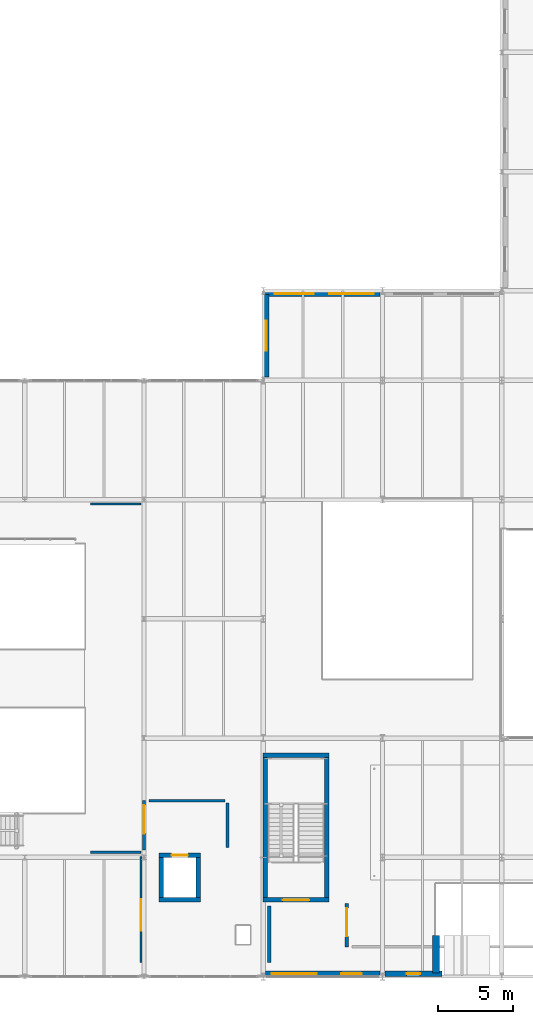
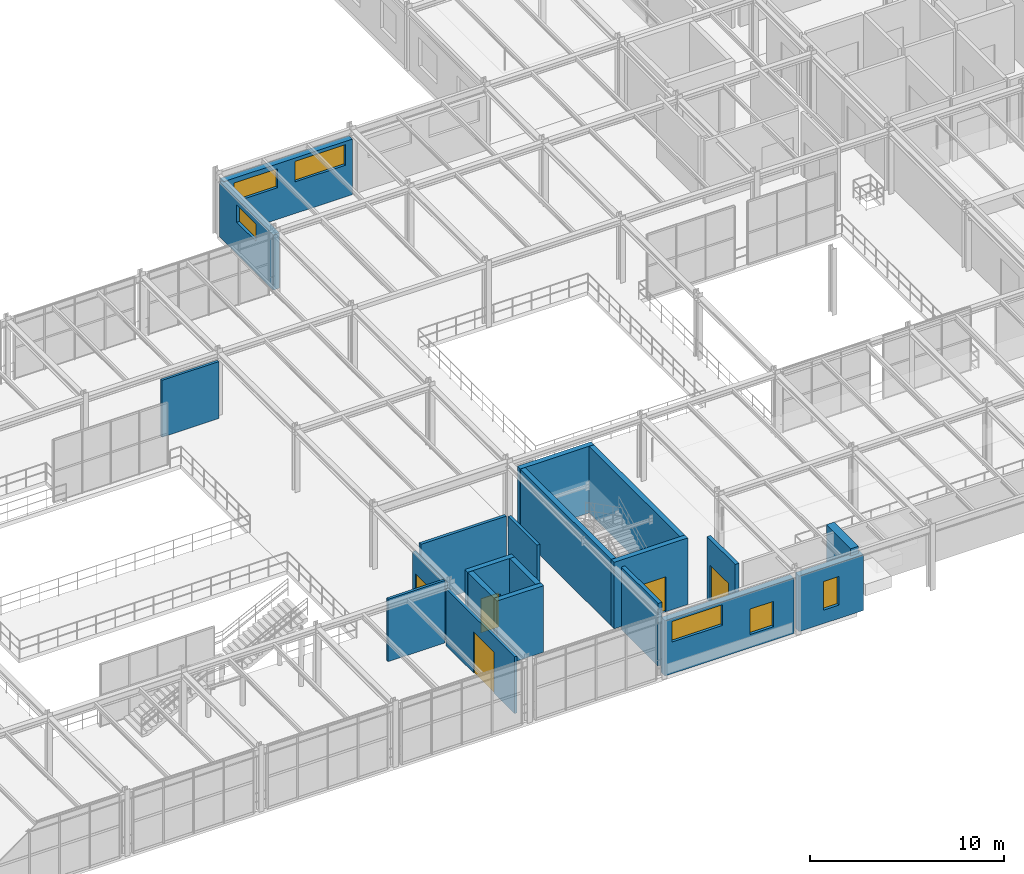
# One storey, part 81 of 124: 21 walls, 6 windows, 5 doors, 11 openings.
"""IFC4 building model written with IfcOpenShell, lengths in metres."""

import ifcopenshell
import ifcopenshell.guid

model = None  # the IFC model being written
_history = None  # IfcOwnerHistory: only IFC2X3 demands one
_inside = {}  # id of a spatial element -> (the spatial element, [elements in it])
_under = {}  # id of a project, library or spatial element -> (it, [spatial elements below it])
_declared = {}  # id of a project -> (the project, [libraries it declares])
_typed = {}  # id of a type object -> (the type object, [elements of that type])
_made_of = {}  # id of a material, layer set ... -> (it, [elements and type objects made of it])


def new_model(schema):
    """Start an empty IFC model of exactly this schema.

    Asked for "IFC4X3", IfcOpenShell would pick the latest addendum, in which some entities
    have other attributes; the version numbers below select the first issue.
    IFC2X3 requires an IfcOwnerHistory on every rooted entity: one is made here for all.
    """
    global model, _history
    if schema == "IFC4X3":
        model = ifcopenshell.file(schema_version=(4, 3, 0, 0))
    else:
        model = ifcopenshell.file(schema=schema)
    _inside.clear()
    _under.clear()
    _declared.clear()
    _typed.clear()
    _made_of.clear()
    _history = None
    if model.schema == "IFC2X3":
        org = make("IfcOrganization", Name="unknown")
        user = make(
            "IfcPersonAndOrganization",
            ThePerson=make("IfcPerson", FamilyName="unknown"),
            TheOrganization=org,
        )
        app = make(
            "IfcApplication",
            ApplicationDeveloper=org,
            Version="unknown",
            ApplicationFullName="unknown",
            ApplicationIdentifier="unknown",
        )
        _history = make(
            "IfcOwnerHistory",
            OwningUser=user,
            OwningApplication=app,
            ChangeAction="ADDED",
            CreationDate=0,
        )
    return model


def make(cls, **values):
    """One entity of the class cls with the attributes given. An attribute that is None is left unset."""
    return model.create_entity(
        cls, **{name: value for name, value in values.items() if value is not None}
    )


def rooted(cls, **values):
    """An entity with a GlobalId (a new one), such as an element, a storey or a relation."""
    return make(cls, GlobalId=ifcopenshell.guid.new(), OwnerHistory=_history, **values)


def si_unit(unit_type, name, prefix=None):
    """IfcSIUnit, for example si_unit("LENGTHUNIT", "METRE", prefix="MILLI")."""
    return make("IfcSIUnit", UnitType=unit_type, Prefix=prefix, Name=name)


def assignment(units):
    """IfcUnitAssignment: the units of a project."""
    return None if units is None else make("IfcUnitAssignment", Units=units)


def point(xyz):
    """IfcCartesianPoint."""
    return None if xyz is None else make("IfcCartesianPoint", Coordinates=xyz)


def direction(xyz):
    """IfcDirection."""
    return None if xyz is None else make("IfcDirection", DirectionRatios=xyz)


def frame(location, z_axis=None, x_axis=None):
    """IfcAxis2Placement3D, a coordinate frame: its origin and axes. An axis left out is left unset."""
    return make(
        "IfcAxis2Placement3D",
        Location=point(location),
        Axis=direction(z_axis),
        RefDirection=direction(x_axis),
    )


def frame_2d(location, x_axis=None):
    """IfcAxis2Placement2D, a coordinate frame in the plane: its origin and x axis."""
    return make(
        "IfcAxis2Placement2D", Location=point(location), RefDirection=direction(x_axis)
    )


def origin():
    """The frame at (0, 0, 0) with its axes left unset."""
    return frame((0.0, 0.0, 0.0))


def place(relative_to, where):
    """IfcLocalPlacement: puts the frame where relative to a parent placement (None: the world)."""
    return make(
        "IfcLocalPlacement", PlacementRelTo=relative_to, RelativePlacement=where
    )


def context(
    kind, dimensions, precision=None, world=None, true_north=None, identifier=None
):
    """IfcGeometricRepresentationContext, for example the 3D "Model" context."""
    return make(
        "IfcGeometricRepresentationContext",
        ContextIdentifier=identifier,
        ContextType=kind,
        CoordinateSpaceDimension=dimensions,
        Precision=precision,
        WorldCoordinateSystem=world,
        TrueNorth=true_north,
    )


def subcontext(parent, identifier, kind, view, scale=None):
    """IfcGeometricRepresentationSubContext, for example "Body" below "Model"."""
    return make(
        "IfcGeometricRepresentationSubContext",
        ContextIdentifier=identifier,
        ContextType=kind,
        ParentContext=parent,
        TargetScale=scale,
        TargetView=view,
    )


def project(units=None, contexts=None):
    """IfcProject with its units and contexts."""
    return rooted(
        "IfcProject",
        Name="project",
        RepresentationContexts=contexts,
        UnitsInContext=assignment(units),
    )


def spatial(cls, under=None, at=None, **own):
    """A site, building, storey or space (cls), placed at a placement, below another one or the project."""
    s = rooted(cls, ObjectPlacement=at, **own)
    if under is not None:
        _under.setdefault(under.id(), (under, []))[1].append(s)
    return s


def profile(cls, at=None, kind="AREA", **sizes):
    """A parametric profile (cls). Its sizes go by their IFC names, for example OverallWidth=200.0."""
    return make(cls, ProfileType=kind, Position=at, **sizes)


def rectangle(**sizes):
    """IfcRectangleProfileDef."""
    return profile("IfcRectangleProfileDef", **sizes)


def extrude(swept, where, along, depth):
    """IfcExtrudedAreaSolid: the profile swept, set in the frame where, extruded along a direction by depth."""
    return make(
        "IfcExtrudedAreaSolid",
        SweptArea=swept,
        Position=where,
        ExtrudedDirection=direction(along),
        Depth=depth,
    )


def shape(context_of_items, identifier, shape_type, items):
    """IfcShapeRepresentation: the items that make up one representation, for example the "Body"."""
    return make(
        "IfcShapeRepresentation",
        ContextOfItems=context_of_items,
        RepresentationIdentifier=identifier,
        RepresentationType=shape_type,
        Items=items,
    )


def material(Name=None, Category=None):
    """IfcMaterial."""
    return make("IfcMaterial", Name=Name, Category=Category)


def layer(
    of_material, thickness, ventilated=None, Name=None, Category=None, Priority=None
):
    """IfcMaterialLayer: one layer of a wall or slab, of a material (None: an air gap)."""
    return make(
        "IfcMaterialLayer",
        Material=of_material,
        LayerThickness=thickness,
        IsVentilated=ventilated,
        Name=Name,
        Category=Category,
        Priority=Priority,
    )


def layer_set(layers, Name=None):
    """IfcMaterialLayerSet."""
    return make("IfcMaterialLayerSet", MaterialLayers=layers, LayerSetName=Name)


def made_of(thing, what):
    """Note that an element or type object is made of a material, layer set ...; save() writes the relation."""
    if what is not None:
        _made_of.setdefault(what.id(), (what, []))[1].append(thing)
    return thing


def type_object(cls, material=None, **own):
    """A type object (cls), such as IfcWallType, which elements share."""
    return made_of(rooted(cls, **own), material)


def element(
    cls,
    number,
    at=None,
    inside=None,
    cuts=None,
    type_object=None,
    material=None,
    context=None,
    identifier="Body",
    shape_type=None,
    held_by="IfcProductDefinitionShape",
    body=None,
    shapes=None,
    **own,
):
    """One element of the class cls, such as IfcWall. Its Tag is "e" and its number.

    at: its placement. inside: the storey or other place that contains it. cuts: it is an
    opening in that element (IfcRelVoidsElement). A single representation is given by context,
    identifier, shape_type and body (its items); several are given by shapes. held_by: the class
    of the entity that holds the representations. save() writes the other relations.
    """
    e = rooted(cls, Tag="e%d" % number, ObjectPlacement=at, **own)
    if body is not None:
        shapes = [shape(context, identifier, shape_type, body)]
    if shapes is not None:
        e.Representation = make(held_by, Representations=shapes)
    if inside is not None:
        _inside.setdefault(inside.id(), (inside, []))[1].append(e)
    if cuts is not None:
        rooted(
            "IfcRelVoidsElement", RelatingBuildingElement=cuts, RelatedOpeningElement=e
        )
    if type_object is not None:
        _typed.setdefault(type_object.id(), (type_object, []))[1].append(e)
    return made_of(e, material)


def fill(opening, filler):
    """IfcRelFillsElement: the door or window that sits in an opening."""
    return rooted(
        "IfcRelFillsElement",
        RelatingOpeningElement=opening,
        RelatedBuildingElement=filler,
    )


def aggregate(whole, parts):
    """IfcRelAggregates: a whole, such as a stair, and the parts it consists of."""
    return rooted("IfcRelAggregates", RelatingObject=whole, RelatedObjects=parts)


def save(model, path):
    """Write the relations noted so far, then the file.

    IfcRelAggregates (storeys below a building ...), IfcRelContainedInSpatialStructure (elements
    in a storey), IfcRelDefinesByType, IfcRelAssociatesMaterial and IfcRelDeclares: one each for
    every whole, place, type object, material and project.
    """
    for whole, parts in _under.values():
        aggregate(whole, parts)
    for where, things in _inside.values():
        rooted(
            "IfcRelContainedInSpatialStructure",
            RelatedElements=things,
            RelatingStructure=where,
        )
    for kind, things in _typed.values():
        rooted("IfcRelDefinesByType", RelatedObjects=things, RelatingType=kind)
    for what, things in _made_of.values():
        rooted("IfcRelAssociatesMaterial", RelatedObjects=things, RelatingMaterial=what)
    for by, libraries in _declared.values():
        rooted("IfcRelDeclares", RelatingContext=by, RelatedDefinitions=libraries)
    model.write(path)


model = new_model("IFC4")

# Units and contexts
model_context = context("Model", 3, precision=1e-05, world=origin(), true_north=direction((0.0, 1.0)))
body_context = subcontext(model_context, "Body", "Model", "MODEL_VIEW")
ifc_project = project(units=[si_unit("LENGTHUNIT", "METRE"), si_unit("AREAUNIT", "SQUARE_METRE"), si_unit("VOLUMEUNIT", "CUBIC_METRE"), si_unit("PLANEANGLEUNIT", "RADIAN"), si_unit("MASSUNIT", "GRAM", prefix="KILO")], contexts=[model_context])

# Site, building, storey
site_placement = place(None, origin())
site = spatial("IfcSite", under=ifc_project, at=site_placement, CompositionType="ELEMENT")
building_placement = place(site_placement, origin())
building = spatial("IfcBuilding", under=site, at=building_placement, Name="Sundkrona Museum", CompositionType="ELEMENT")
storey_placement = place(building_placement, frame((0.0, 0.0, 17.60009765625)))
storey = spatial("IfcBuildingStorey", under=building, at=storey_placement, Name="L03", CompositionType="ELEMENT", Elevation=17.60009765625)

# Wall, opening, door
ifc_material_1 = material(Name="Concrete C40/50", Category="concrete")
ifc_layer_1 = layer(ifc_material_1, 0.300048828125)
ifc_layer_set_1 = layer_set([ifc_layer_1], Name="Concrete C40/50")
wall_type_1 = type_object("IfcWallType", Name="W-CORE-300", PredefinedType="SHEAR", material=ifc_layer_set_1)
wall_1_placement = place(storey_placement, frame((120.0, 5.14990234375, 0.0), z_axis=(0.0, 0.0, 1.0), x_axis=(1.0, 0.0, 0.0)))
wall_1 = element("IfcWall", 1, at=wall_1_placement, inside=storey, type_object=wall_type_1, Name="L03 ST-2 Core Shear Wall South", PredefinedType="SHEAR", context=body_context, shape_type="SweptSolid", body=[
    extrude(rectangle(XDim=4.39990234375, YDim=0.300048828125, at=frame_2d((2.199951171875, 0.0))), origin(), (0.0, 0.0, 1.0), 4.199951171875),
])
opening_1_placement = place(wall_1_placement, frame((1.300048828125, 0.0, 0.0)))
opening_1 = element("IfcOpeningElement", 2, at=opening_1_placement, cuts=wall_1, Name="Opening D-FD60", PredefinedType="OPENING", context=body_context, shape_type="SweptSolid", body=[
    extrude(rectangle(XDim=1.800048828125, YDim=2.199951171875, at=frame_2d((0.89990234375, 1.10009765625))), frame((0.0, 0.159912109375, 0.0), z_axis=(0.0, -1.0, 0.0), x_axis=(1.0, 0.0, 0.0)), (0.0, 0.0, 1.0), 0.320068359375),
])
ifc_material_2 = material(Name="Steel S355J2 Fire Door Leaf", Category="steel")
door_type_1 = type_object("IfcDoorType", Name="D-FD60", OperationType="DOUBLE_DOOR_SINGLE_SWING", PredefinedType="DOOR", material=ifc_material_2)
door_1_placement = place(opening_1_placement, origin())
door_1 = element("IfcDoor", 3, at=door_1_placement, inside=storey, type_object=door_type_1, Name="L03 ST-2 Protected Escape Stair Door DR-ST-2-L03", OperationType="DOUBLE_DOOR_SINGLE_SWING", OverallHeight=2.199951171875, OverallWidth=1.800048828125, PredefinedType="DOOR", context=body_context, shape_type="SweptSolid", body=[
    extrude(rectangle(XDim=1.800048828125, YDim=2.199951171875, at=frame_2d((0.89990234375, 1.10009765625))), frame((0.0, 0.02490234375, 0.0), z_axis=(0.0, -1.0, 0.0), x_axis=(1.0, 0.0, 0.0)), (0.0, 0.0, 1.0), 0.050048828125),
])
fill(opening_1, door_1)

# Walls
wall_2_placement = place(storey_placement, frame((120.0, 14.85009765625, 0.0), z_axis=(0.0, 0.0, 1.0), x_axis=(1.0, 0.0, 0.0)))
element("IfcWall", 4, at=wall_2_placement, inside=storey, type_object=wall_type_1, Name="L03 ST-2 Core Shear Wall North", PredefinedType="SHEAR", context=body_context, shape_type="SweptSolid", body=[
    extrude(rectangle(XDim=4.39990234375, YDim=0.300048828125, at=frame_2d((2.199951171875, 0.0))), origin(), (0.0, 0.0, 1.0), 4.199951171875),
])
for number, where, z_axis, x_axis, name in (
    (5, (120.14990234375, 5.31005859375, 0.0), (0.0, 0.0, 1.0), (0.0, 1.0, 0.0), "L03 ST-2 Core Shear Wall West"),
    (6, (124.25, 5.31005859375, 0.0), (0.0, 0.0, 1.0), (0.0, 1.0, 0.0), "L03 ST-2 Core Shear Wall East"),
):
    element("IfcWall", number, at=place(storey_placement, frame(where, z_axis=z_axis, x_axis=x_axis)), inside=storey, type_object=wall_type_1, Name=name, PredefinedType="SHEAR", context=body_context, shape_type="SweptSolid", body=[
        extrude(rectangle(XDim=9.3798828125, YDim=0.300048828125, at=frame_2d((4.68994140625, 0.0))), origin(), (0.0, 0.0, 1.0), 4.199951171875),
    ])
wall_3_placement = place(storey_placement, frame((113.0, 5.14990234375, 0.0), z_axis=(0.0, 0.0, 1.0), x_axis=(1.0, 0.0, 0.0)))
element("IfcWall", 7, at=wall_3_placement, inside=storey, type_object=wall_type_1, Name="L03 PL-2 Lift Shaft Wall South", PredefinedType="SHEAR", context=body_context, shape_type="SweptSolid", body=[
    extrude(rectangle(XDim=2.800048828125, YDim=0.300048828125, at=frame_2d((1.39990234375, 0.0))), origin(), (0.0, 0.0, 1.0), 4.199951171875),
])

# Wall, opening, door
wall_4_placement = place(storey_placement, frame((113.0, 8.14990234375, 0.0), z_axis=(0.0, 0.0, 1.0), x_axis=(1.0, 0.0, 0.0)))
wall_4 = element("IfcWall", 8, at=wall_4_placement, inside=storey, type_object=wall_type_1, Name="L03 PL-2 Lift Shaft Wall North", PredefinedType="SHEAR", context=body_context, shape_type="SweptSolid", body=[
    extrude(rectangle(XDim=2.800048828125, YDim=0.300048828125, at=frame_2d((1.39990234375, 0.0))), origin(), (0.0, 0.0, 1.0), 4.199951171875),
])
opening_2_placement = place(wall_4_placement, frame((0.85009765625, 0.0, 0.0)))
opening_2 = element("IfcOpeningElement", 9, at=opening_2_placement, cuts=wall_4, Name="Opening LD-01", PredefinedType="OPENING", context=body_context, shape_type="SweptSolid", body=[
    extrude(rectangle(XDim=1.10009765625, YDim=2.14990234375, at=frame_2d((0.550048828125, 1.074951171875))), frame((0.0, 0.159912109375, 0.0), z_axis=(0.0, -1.0, 0.0), x_axis=(1.0, 0.0, 0.0)), (0.0, 0.0, 1.0), 0.320068359375),
])
ifc_material_3 = material(Name="Brushed Stainless Steel Lift Door", Category="steel")
door_type_2 = type_object("IfcDoorType", Name="LD-01", OperationType="SLIDING_TO_LEFT", PredefinedType="DOOR", material=ifc_material_3)
door_2_placement = place(opening_2_placement, origin())
door_2 = element("IfcDoor", 10, at=door_2_placement, inside=storey, type_object=door_type_2, Name="L03 Public Gallery Passenger Lift PL-2 Landing Door DR-LIFT-PL-2-L03", OperationType="SLIDING_TO_LEFT", OverallHeight=2.14990234375, OverallWidth=1.10009765625, PredefinedType="DOOR", context=body_context, shape_type="SweptSolid", body=[
    extrude(rectangle(XDim=1.10009765625, YDim=2.14990234375, at=frame_2d((0.550048828125, 1.074951171875))), frame((0.0, 0.02490234375, 0.0), z_axis=(0.0, -1.0, 0.0), x_axis=(1.0, 0.0, 0.0)), (0.0, 0.0, 1.0), 0.050048828125),
])
fill(opening_2, door_2)

# Walls
for number, where, z_axis, x_axis, name in (
    (11, (113.14990234375, 5.31005859375, 0.0), (0.0, 0.0, 1.0), (0.0, 1.0, 0.0), "L03 PL-2 Lift Shaft Wall West"),
    (12, (115.64990234375, 5.31005859375, 0.0), (0.0, 0.0, 1.0), (0.0, 1.0, 0.0), "L03 PL-2 Lift Shaft Wall East"),
):
    element("IfcWall", number, at=place(storey_placement, frame(where, z_axis=z_axis, x_axis=x_axis)), inside=storey, type_object=wall_type_1, Name=name, PredefinedType="SHEAR", context=body_context, shape_type="SweptSolid", body=[
        extrude(rectangle(XDim=2.679931640625, YDim=0.300048828125, at=frame_2d((1.33984375, 0.0))), origin(), (0.0, 0.0, 1.0), 4.199951171875),
    ])

# Wall, openings, windows
ifc_material_4 = material(Name="Scanian Polychrome Clay Brickwork 390 mm", Category="masonry")
ifc_layer_2 = layer(ifc_material_4, 0.389892578125)
ifc_layer_set_2 = layer_set([ifc_layer_2], Name="Scanian Polychrome Clay Brickwork 390 mm")
wall_type_2 = type_object("IfcWallType", Name="W-EX-390", PredefinedType="SOLIDWALL", material=ifc_layer_set_2)
wall_5_placement = place(storey_placement, frame((127.847900390625, 0.195068359375, 0.0), z_axis=(0.0, 0.0, 1.0), x_axis=(-1.0, 0.0, 0.0)))
wall_5 = element("IfcWall", 13, at=wall_5_placement, inside=storey, type_object=wall_type_2, Name="L03 Facade Wall 0038", PredefinedType="SOLIDWALL", context=body_context, shape_type="SweptSolid", body=[
    extrude(rectangle(XDim=7.69580078125, YDim=0.389892578125, at=frame_2d((3.847900390625, 0.0))), origin(), (0.0, 0.0, 1.0), 3.48486328125),
])
opening_3_placement = place(wall_5_placement, frame((1.22412109375, 0.0, 0.85009765625)))
opening_3 = element("IfcOpeningElement", 14, at=opening_3_placement, cuts=wall_5, Name="Opening WN-LB-140x160", PredefinedType="OPENING", context=body_context, shape_type="SweptSolid", body=[
    extrude(rectangle(XDim=1.39990234375, YDim=1.60009765625, at=frame_2d((0.699951171875, 0.800048828125))), frame((0.0, 0.204833984375, 0.0), z_axis=(0.0, -1.0, 0.0), x_axis=(1.0, 0.0, 0.0)), (0.0, 0.0, 1.0), 0.409912109375),
])
opening_4_placement = place(wall_5_placement, frame((4.27197265625, 0.0, 2.0)))
opening_4 = element("IfcOpeningElement", 15, at=opening_4_placement, cuts=wall_5, Name="Opening WN-CL-300x130", PredefinedType="OPENING", context=body_context, shape_type="SweptSolid", body=[
    extrude(rectangle(XDim=3.0, YDim=1.300048828125, at=frame_2d((1.5, 0.64990234375))), frame((0.0, 0.204833984375, 0.0), z_axis=(0.0, -1.0, 0.0), x_axis=(1.0, 0.0, 0.0)), (0.0, 0.0, 1.0), 0.409912109375),
])
ifc_material_5 = material(Name="Triple Low-E Argon Glazing in Bronze-Anodised Aluminium", Category="aluminium")
window_type_1 = type_object("IfcWindowType", Name="WN-CL-300x130", PartitioningType="TRIPLE_PANEL_HORIZONTAL", PredefinedType="WINDOW", material=ifc_material_5)
window_1_placement = place(opening_4_placement, origin())
window_1 = element("IfcWindow", 16, at=window_1_placement, inside=storey, type_object=window_type_1, Name="L03 Exhibition clerestory window 3000x1300 WIN-L03-0050", OverallHeight=1.300048828125, OverallWidth=3.0, PartitioningType="TRIPLE_PANEL_HORIZONTAL", PredefinedType="WINDOW", context=body_context, shape_type="SweptSolid", body=[
    extrude(rectangle(XDim=3.0, YDim=1.300048828125, at=frame_2d((1.5, 0.64990234375))), frame((0.0, 0.030029296875, 0.0), z_axis=(0.0, -1.0, 0.0), x_axis=(1.0, 0.0, 0.0)), (0.0, 0.0, 1.0), 0.06005859375),
])
fill(opening_4, window_1)
window_type_2 = type_object("IfcWindowType", Name="WN-LB-140x160", PartitioningType="SINGLE_PANEL", PredefinedType="WINDOW", material=ifc_material_5)
window_2_placement = place(opening_3_placement, origin())
window_2 = element("IfcWindow", 17, at=window_2_placement, inside=storey, type_object=window_type_2, Name="L03 Curatorial study window 1400x1600 WIN-L03-0049", OverallHeight=1.60009765625, OverallWidth=1.39990234375, PartitioningType="SINGLE_PANEL", PredefinedType="WINDOW", context=body_context, shape_type="SweptSolid", body=[
    extrude(rectangle(XDim=1.39990234375, YDim=1.60009765625, at=frame_2d((0.699951171875, 0.800048828125))), frame((0.0, 0.030029296875, 0.0), z_axis=(0.0, -1.0, 0.0), x_axis=(1.0, 0.0, 0.0)), (0.0, 0.0, 1.0), 0.06005859375),
])
fill(opening_3, window_2)

# Wall, opening, window
wall_6_placement = place(storey_placement, frame((131.989990234375, 0.195068359375, 0.0), z_axis=(0.0, 0.0, 1.0), x_axis=(-1.0, 0.0, 0.0)))
wall_6 = element("IfcWall", 18, at=wall_6_placement, inside=storey, type_object=wall_type_2, Name="L03 Facade Wall 0039", PredefinedType="SOLIDWALL", context=body_context, shape_type="SweptSolid", body=[
    extrude(rectangle(XDim=3.837890625, YDim=0.389892578125, at=frame_2d((1.9189453125, 0.0))), origin(), (0.0, 0.0, 1.0), 3.5048828125),
])
opening_5_placement = place(wall_6_placement, frame((1.468994140625, 0.0, 0.85009765625)))
opening_5 = element("IfcOpeningElement", 19, at=opening_5_placement, cuts=wall_6, Name="Opening WN-ST-090x180", PredefinedType="OPENING", context=body_context, shape_type="SweptSolid", body=[
    extrude(rectangle(XDim=0.89990234375, YDim=1.800048828125, at=frame_2d((0.449951171875, 0.89990234375))), frame((0.0, 0.204833984375, 0.0), z_axis=(0.0, -1.0, 0.0), x_axis=(1.0, 0.0, 0.0)), (0.0, 0.0, 1.0), 0.409912109375),
])
window_type_3 = type_object("IfcWindowType", Name="WN-ST-090x180", PartitioningType="SINGLE_PANEL", PredefinedType="WINDOW", material=ifc_material_5)
window_3_placement = place(opening_5_placement, origin())
window_3 = element("IfcWindow", 20, at=window_3_placement, inside=storey, type_object=window_type_3, Name="L03 Stair-core avenue daylight slot window 900x1800 WIN-L03-0051", OverallHeight=1.800048828125, OverallWidth=0.89990234375, PartitioningType="SINGLE_PANEL", PredefinedType="WINDOW", context=body_context, shape_type="SweptSolid", body=[
    extrude(rectangle(XDim=0.89990234375, YDim=1.800048828125, at=frame_2d((0.449951171875, 0.89990234375))), frame((0.0, 0.030029296875, 0.0), z_axis=(0.0, -1.0, 0.0), x_axis=(1.0, 0.0, 0.0)), (0.0, 0.0, 1.0), 0.06005859375),
])
fill(opening_5, window_3)

wall_7_placement = place(storey_placement, frame((120.195068359375, 40.22705078125, 0.0), z_axis=(0.0, 0.0, 1.0), x_axis=(0.0, 1.0, 0.0)))
wall_7 = element("IfcWall", 21, at=wall_7_placement, inside=storey, type_object=wall_type_2, Name="L03 Facade Wall 0050", PredefinedType="SOLIDWALL", context=body_context, shape_type="SweptSolid", body=[
    extrude(rectangle(XDim=5.5458984375, YDim=0.389892578125, at=frame_2d((2.77294921875, 0.0))), origin(), (0.0, 0.0, 1.0), 3.48486328125),
])
opening_6_placement = place(wall_7_placement, frame((1.77294921875, 0.0, 2.0)))
opening_6 = element("IfcOpeningElement", 22, at=opening_6_placement, cuts=wall_7, Name="Opening WN-CL-200x110", PredefinedType="OPENING", context=body_context, shape_type="SweptSolid", body=[
    extrude(rectangle(XDim=2.0, YDim=1.10009765625, at=frame_2d((1.0, 0.550048828125))), frame((0.0, 0.204833984375, 0.0), z_axis=(0.0, -1.0, 0.0), x_axis=(1.0, 0.0, 0.0)), (0.0, 0.0, 1.0), 0.409912109375),
])
window_type_4 = type_object("IfcWindowType", Name="WN-CL-200x110", PartitioningType="DOUBLE_PANEL_HORIZONTAL", PredefinedType="WINDOW", material=ifc_material_5)
window_4_placement = place(opening_6_placement, origin())
window_4 = element("IfcWindow", 23, at=window_4_placement, inside=storey, type_object=window_type_4, Name="L03 Archive foyer clerestory window 2000x1100 WIN-L03-0066", OverallHeight=1.10009765625, OverallWidth=2.0, PartitioningType="DOUBLE_PANEL_HORIZONTAL", PredefinedType="WINDOW", context=body_context, shape_type="SweptSolid", body=[
    extrude(rectangle(XDim=2.0, YDim=1.10009765625, at=frame_2d((1.0, 0.550048828125))), frame((0.0, 0.030029296875, 0.0), z_axis=(0.0, -1.0, 0.0), x_axis=(1.0, 0.0, 0.0)), (0.0, 0.0, 1.0), 0.06005859375),
])
fill(opening_6, window_4)

# Wall, opening, door
ifc_material_6 = material(Name="Autoclaved Aerated Masonry 225 mm", Category="masonry")
ifc_layer_3 = layer(ifc_material_6, 0.22509765625)
ifc_layer_set_3 = layer_set([ifc_layer_3], Name="Autoclaved Aerated Masonry 225 mm")
wall_type_3 = type_object("IfcWallType", Name="W-FF-225", PredefinedType="SOLIDWALL", material=ifc_layer_set_3)
wall_8_placement = place(storey_placement, frame((125.60009765625, 2.0, 0.0), z_axis=(0.0, 0.0, 1.0), x_axis=(0.0, 1.0, 0.0)))
wall_8 = element("IfcWall", 24, at=wall_8_placement, inside=storey, type_object=wall_type_3, Name="L03 Partition Core 2 Stair Lobby / Evolutionary Biology Gallery", PredefinedType="SOLIDWALL", context=body_context, shape_type="SweptSolid", body=[
    extrude(rectangle(XDim=2.89990234375, YDim=0.22509765625, at=frame_2d((1.449951171875, 0.0))), origin(), (0.0, 0.0, 1.0), 3.9599609375),
])
opening_7_placement = place(wall_8_placement, frame((0.699951171875, 0.0, 0.0)))
opening_7 = element("IfcOpeningElement", 25, at=opening_7_placement, cuts=wall_8, Name="Opening D-AUD-190", PredefinedType="OPENING", context=body_context, shape_type="SweptSolid", body=[
    extrude(rectangle(XDim=1.89990234375, YDim=2.35009765625, at=frame_2d((0.949951171875, 1.175048828125))), frame((0.0, 0.12255859375, 0.0), z_axis=(0.0, -1.0, 0.0), x_axis=(1.0, 0.0, 0.0)), (0.0, 0.0, 1.0), 0.2451171875),
])
ifc_material_7 = material(Name="Acoustic Oak Fire Door", Category="other")
door_type_3 = type_object("IfcDoorType", Name="D-AUD-190", OperationType="DOUBLE_DOOR_SINGLE_SWING", PredefinedType="DOOR", material=ifc_material_7)
door_3_placement = place(opening_7_placement, origin())
door_3 = element("IfcDoor", 26, at=door_3_placement, inside=storey, type_object=door_type_3, Name="L03 Interior Door DR-ADJ-L03-0156", OperationType="DOUBLE_DOOR_SINGLE_SWING", OverallHeight=2.35009765625, OverallWidth=1.89990234375, PredefinedType="DOOR", context=body_context, shape_type="SweptSolid", body=[
    extrude(rectangle(XDim=1.89990234375, YDim=2.35009765625, at=frame_2d((0.949951171875, 1.175048828125))), frame((0.0, 0.02490234375, 0.0), z_axis=(0.0, -1.0, 0.0), x_axis=(1.0, 0.0, 0.0)), (0.0, 0.0, 1.0), 0.050048828125),
])
fill(opening_7, door_3)

# Walls
wall_9_placement = place(storey_placement, frame((120.39990234375, 0.949951171875, 0.0), z_axis=(0.0, 0.0, 1.0), x_axis=(0.0, 1.0, 0.0)))
element("IfcWall", 27, at=wall_9_placement, inside=storey, type_object=wall_type_3, Name="L03 Core 2 Stair Lobby Enclosure Wall W", PredefinedType="SOLIDWALL", context=body_context, shape_type="SweptSolid", body=[
    extrude(rectangle(XDim=3.800048828125, YDim=0.22509765625, at=frame_2d((1.89990234375, 0.0))), origin(), (0.0, 0.0, 1.0), 3.9599609375),
])
ifc_material_8 = material(Name="Danian Limestone Ashlar Masonry 480 mm", Category="masonry")
ifc_layer_4 = layer(ifc_material_8, 0.47998046875)
ifc_layer_set_4 = layer_set([ifc_layer_4], Name="Danian Limestone Ashlar Masonry 480 mm")
wall_type_4 = type_object("IfcWallType", Name="W-LIM-480", PredefinedType="SOLIDWALL", material=ifc_layer_set_4)
wall_10_placement = place(storey_placement, frame((131.60009765625, 0.239990234375, 0.0), z_axis=(0.0, 0.0, 1.0), x_axis=(0.0, 1.0, 0.0)))
element("IfcWall", 28, at=wall_10_placement, inside=storey, type_object=wall_type_4, Name="L03 Oculus Deep Reveal West Wall", PredefinedType="SOLIDWALL", context=body_context, shape_type="SweptSolid", body=[
    extrude(rectangle(XDim=2.510009765625, YDim=0.47998046875, at=frame_2d((1.2548828125, 0.0))), origin(), (0.0, 0.0, 1.0), 3.9599609375),
])
ifc_material_9 = material(Name="Acoustic Gypsum Partition Board 150 mm", Category="other")
ifc_layer_5 = layer(ifc_material_9, 0.14990234375)
ifc_layer_set_5 = layer_set([ifc_layer_5], Name="Acoustic Gypsum Partition Board 150 mm")
wall_type_5 = type_object("IfcWallType", Name="W-PT-150", PredefinedType="PARTITIONING", material=ifc_layer_set_5)
wall_11_placement = place(storey_placement, frame((108.39990234375, 31.699951171875, 0.0), z_axis=(0.0, 0.0, 1.0), x_axis=(1.0, 0.0, 0.0)))
element("IfcWall", 29, at=wall_11_placement, inside=storey, type_object=wall_type_5, Name="L03 Partition Atrium Level 03 Concourse / Atrium Level 03 East Walk", PredefinedType="PARTITIONING", context=body_context, shape_type="SweptSolid", body=[
    extrude(rectangle(XDim=3.400146484375, YDim=0.14990234375, at=frame_2d((1.7001953125, 0.0))), origin(), (0.0, 0.0, 1.0), 3.58984375),
])
wall_12_placement = place(storey_placement, frame((108.39990234375, 8.35009765625, 0.0), z_axis=(0.0, 0.0, 1.0), x_axis=(1.0, 0.0, 0.0)))
element("IfcWall", 30, at=wall_12_placement, inside=storey, type_object=wall_type_5, Name="L03 Partition Atrium Level 03 East Walk / Oresund Maritime Ecology Gallery", PredefinedType="PARTITIONING", context=body_context, shape_type="SweptSolid", body=[
    extrude(rectangle(XDim=3.400146484375, YDim=0.14990234375, at=frame_2d((1.7001953125, 0.0))), origin(), (0.0, 0.0, 1.0), 3.93994140625),
])

# Wall, opening, door
wall_13_placement = place(storey_placement, frame((111.800048828125, 0.949951171875, 0.0), z_axis=(0.0, 0.0, 1.0), x_axis=(0.0, 1.0, 0.0)))
wall_13 = element("IfcWall", 31, at=wall_13_placement, inside=storey, type_object=wall_type_5, Name="L03 Oresund Maritime Ecology Gallery Enclosure Wall E", PredefinedType="PARTITIONING", context=body_context, shape_type="SweptSolid", body=[
    extrude(rectangle(XDim=7.10009765625, YDim=0.14990234375, at=frame_2d((3.550048828125, 0.0))), origin(), (0.0, 0.0, 1.0), 3.58984375),
])
opening_8_placement = place(wall_13_placement, frame((2.13330078125, 0.0, 0.0)))
opening_8 = element("IfcOpeningElement", 32, at=opening_8_placement, cuts=wall_13, Name="Opening D-GAL-210", PredefinedType="OPENING", context=body_context, shape_type="SweptSolid", body=[
    extrude(rectangle(XDim=2.10009765625, YDim=2.60009765625, at=frame_2d((1.050048828125, 1.300048828125))), frame((0.0, 0.0849609375, 0.0), z_axis=(0.0, -1.0, 0.0), x_axis=(1.0, 0.0, 0.0)), (0.0, 0.0, 1.0), 0.169921875),
])
ifc_material_10 = material(Name="European Oak Gallery Door", Category="other")
door_type_4 = type_object("IfcDoorType", Name="D-GAL-210", OperationType="DOUBLE_DOOR_SINGLE_SWING", PredefinedType="DOOR", material=ifc_material_10)
door_4_placement = place(opening_8_placement, origin())
door_4 = element("IfcDoor", 33, at=door_4_placement, inside=storey, type_object=door_type_4, Name="L03 Interior Door DR-INT-L03-0179", OperationType="DOUBLE_DOOR_SINGLE_SWING", OverallHeight=2.60009765625, OverallWidth=2.10009765625, PredefinedType="DOOR", context=body_context, shape_type="SweptSolid", body=[
    extrude(rectangle(XDim=2.10009765625, YDim=2.60009765625, at=frame_2d((1.050048828125, 1.300048828125))), frame((0.0, 0.02490234375, 0.0), z_axis=(0.0, -1.0, 0.0), x_axis=(1.0, 0.0, 0.0)), (0.0, 0.0, 1.0), 0.050048828125),
])
fill(opening_8, door_4)

ifc_material_11 = material(Name="Fire-rated Gypsum Partition Board 175 mm", Category="other")
ifc_layer_6 = layer(ifc_material_11, 0.175048828125)
ifc_layer_set_6 = layer_set([ifc_layer_6], Name="Fire-rated Gypsum Partition Board 175 mm")
wall_type_6 = type_object("IfcWallType", Name="W-PT-175", PredefinedType="PARTITIONING", material=ifc_layer_set_6)
wall_14_placement = place(storey_placement, frame((112.0, 8.5, 0.0), z_axis=(0.0, 0.0, 1.0), x_axis=(0.0, 1.0, 0.0)))
wall_14 = element("IfcWall", 34, at=wall_14_placement, inside=storey, type_object=wall_type_6, Name="L03 Partition Atrium Lift Lobby / Atrium Level 03 East Walk", PredefinedType="PARTITIONING", context=body_context, shape_type="SweptSolid", body=[
    extrude(rectangle(XDim=3.300048828125, YDim=0.175048828125, at=frame_2d((1.64990234375, 0.0))), origin(), (0.0, 0.0, 1.0), 3.58984375),
])
opening_9_placement = place(wall_14_placement, frame((1.10009765625, 0.0, 0.0)))
opening_9 = element("IfcOpeningElement", 35, at=opening_9_placement, cuts=wall_14, Name="Opening D-AUD-190", PredefinedType="OPENING", context=body_context, shape_type="SweptSolid", body=[
    extrude(rectangle(XDim=1.89990234375, YDim=2.35009765625, at=frame_2d((0.949951171875, 1.175048828125))), frame((0.0, 0.097412109375, 0.0), z_axis=(0.0, -1.0, 0.0), x_axis=(1.0, 0.0, 0.0)), (0.0, 0.0, 1.0), 0.195068359375),
])
door_5_placement = place(opening_9_placement, origin())
door_5 = element("IfcDoor", 36, at=door_5_placement, inside=storey, type_object=door_type_3, Name="L03 Interior Door DR-ADJ-L03-0157", OperationType="DOUBLE_DOOR_SINGLE_SWING", OverallHeight=2.35009765625, OverallWidth=1.89990234375, PredefinedType="DOOR", context=body_context, shape_type="SweptSolid", body=[
    extrude(rectangle(XDim=1.89990234375, YDim=2.35009765625, at=frame_2d((0.949951171875, 1.175048828125))), frame((0.0, 0.02490234375, 0.0), z_axis=(0.0, -1.0, 0.0), x_axis=(1.0, 0.0, 0.0)), (0.0, 0.0, 1.0), 0.050048828125),
])
fill(opening_9, door_5)

# Walls
wall_15_placement = place(storey_placement, frame((112.35009765625, 11.800048828125, 0.0), z_axis=(0.0, 0.0, 1.0), x_axis=(1.0, 0.0, 0.0)))
element("IfcWall", 37, at=wall_15_placement, inside=storey, type_object=wall_type_6, Name="L03 Atrium Lift Lobby Enclosure Wall N", PredefinedType="PARTITIONING", context=body_context, shape_type="SweptSolid", body=[
    extrude(rectangle(XDim=5.099853515625, YDim=0.175048828125, at=frame_2d((2.5498046875, 0.0))), origin(), (0.0, 0.0, 1.0), 3.93994140625),
])
wall_16_placement = place(storey_placement, frame((117.60009765625, 8.64990234375, 0.0), z_axis=(0.0, 0.0, 1.0), x_axis=(0.0, 1.0, 0.0)))
element("IfcWall", 38, at=wall_16_placement, inside=storey, type_object=wall_type_6, Name="L03 Atrium Lift Lobby Enclosure Wall E", PredefinedType="PARTITIONING", context=body_context, shape_type="SweptSolid", body=[
    extrude(rectangle(XDim=3.0, YDim=0.175048828125, at=frame_2d((1.5, 0.0))), origin(), (0.0, 0.0, 1.0), 3.93994140625),
])

# Wall, openings, windows
ifc_material_12 = material(Name="Vitrified Stoneware Mosaic Cladding 360 mm", Category="masonry")
ifc_layer_7 = layer(ifc_material_12, 0.360107421875)
ifc_layer_set_7 = layer_set([ifc_layer_7], Name="Vitrified Stoneware Mosaic Cladding 360 mm")
wall_type_7 = type_object("IfcWallType", Name="W-SP-360", PredefinedType="ELEMENTEDWALL", material=ifc_layer_set_7)
wall_17_placement = place(storey_placement, frame((120.152099609375, 45.820068359375, 0.0), z_axis=(0.0, 0.0, 1.0), x_axis=(1.0, 0.0, 0.0)))
wall_17 = element("IfcWall", 39, at=wall_17_placement, inside=storey, type_object=wall_type_7, Name="L03 Facade Wall 0048", PredefinedType="ELEMENTEDWALL", context=body_context, shape_type="SweptSolid", body=[
    extrude(rectangle(XDim=7.69580078125, YDim=0.360107421875, at=frame_2d((3.847900390625, 0.0))), origin(), (0.0, 0.0, 1.0), 3.5048828125),
])
opening_10_placement = place(wall_17_placement, frame((0.6240234375, 0.0, 2.0)))
opening_10 = element("IfcOpeningElement", 40, at=opening_10_placement, cuts=wall_17, Name="Opening WN-CL-260x120", PredefinedType="OPENING", context=body_context, shape_type="SweptSolid", body=[
    extrude(rectangle(XDim=2.60009765625, YDim=1.199951171875, at=frame_2d((1.300048828125, 0.60009765625))), frame((0.0, 0.18994140625, 0.0), z_axis=(0.0, -1.0, 0.0), x_axis=(1.0, 0.0, 0.0)), (0.0, 0.0, 1.0), 0.380126953125),
])
opening_11_placement = place(wall_17_placement, frame((4.27197265625, 0.0, 2.0)))
opening_11 = element("IfcOpeningElement", 41, at=opening_11_placement, cuts=wall_17, Name="Opening WN-CL-300x130", PredefinedType="OPENING", context=body_context, shape_type="SweptSolid", body=[
    extrude(rectangle(XDim=3.0, YDim=1.300048828125, at=frame_2d((1.5, 0.64990234375))), frame((0.0, 0.18994140625, 0.0), z_axis=(0.0, -1.0, 0.0), x_axis=(1.0, 0.0, 0.0)), (0.0, 0.0, 1.0), 0.380126953125),
])
window_type_5 = type_object("IfcWindowType", Name="WN-CL-260x120", PartitioningType="DOUBLE_PANEL_HORIZONTAL", PredefinedType="WINDOW", material=ifc_material_5)
window_5_placement = place(opening_10_placement, origin())
window_5 = element("IfcWindow", 42, at=window_5_placement, inside=storey, type_object=window_type_5, Name="L03 High-level gallery clerestory ribbon window 2600x1200 WIN-L03-0062", OverallHeight=1.199951171875, OverallWidth=2.60009765625, PartitioningType="DOUBLE_PANEL_HORIZONTAL", PredefinedType="WINDOW", context=body_context, shape_type="SweptSolid", body=[
    extrude(rectangle(XDim=2.60009765625, YDim=1.199951171875, at=frame_2d((1.300048828125, 0.60009765625))), frame((0.0, 0.030029296875, 0.0), z_axis=(0.0, -1.0, 0.0), x_axis=(1.0, 0.0, 0.0)), (0.0, 0.0, 1.0), 0.06005859375),
])
fill(opening_10, window_5)
window_6_placement = place(opening_11_placement, origin())
window_6 = element("IfcWindow", 43, at=window_6_placement, inside=storey, type_object=window_type_1, Name="L03 Exhibition clerestory window 3000x1300 WIN-L03-0063", OverallHeight=1.300048828125, OverallWidth=3.0, PartitioningType="TRIPLE_PANEL_HORIZONTAL", PredefinedType="WINDOW", context=body_context, shape_type="SweptSolid", body=[
    extrude(rectangle(XDim=3.0, YDim=1.300048828125, at=frame_2d((1.5, 0.64990234375))), frame((0.0, 0.030029296875, 0.0), z_axis=(0.0, -1.0, 0.0), x_axis=(1.0, 0.0, 0.0)), (0.0, 0.0, 1.0), 0.06005859375),
])
fill(opening_11, window_6)

save(model, "model.ifc")
